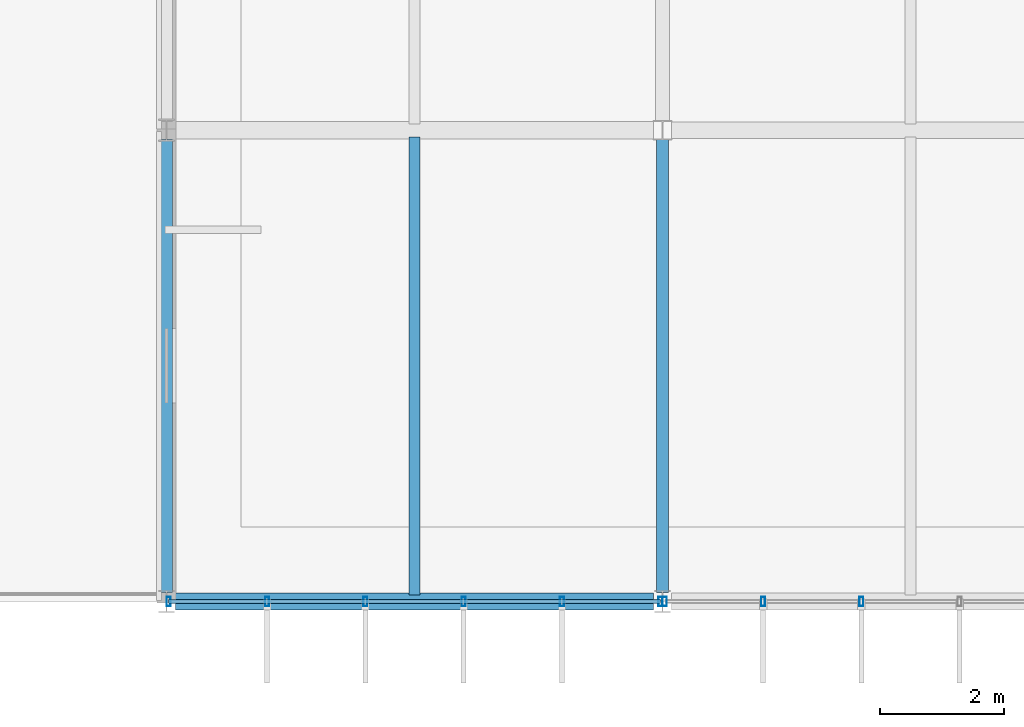
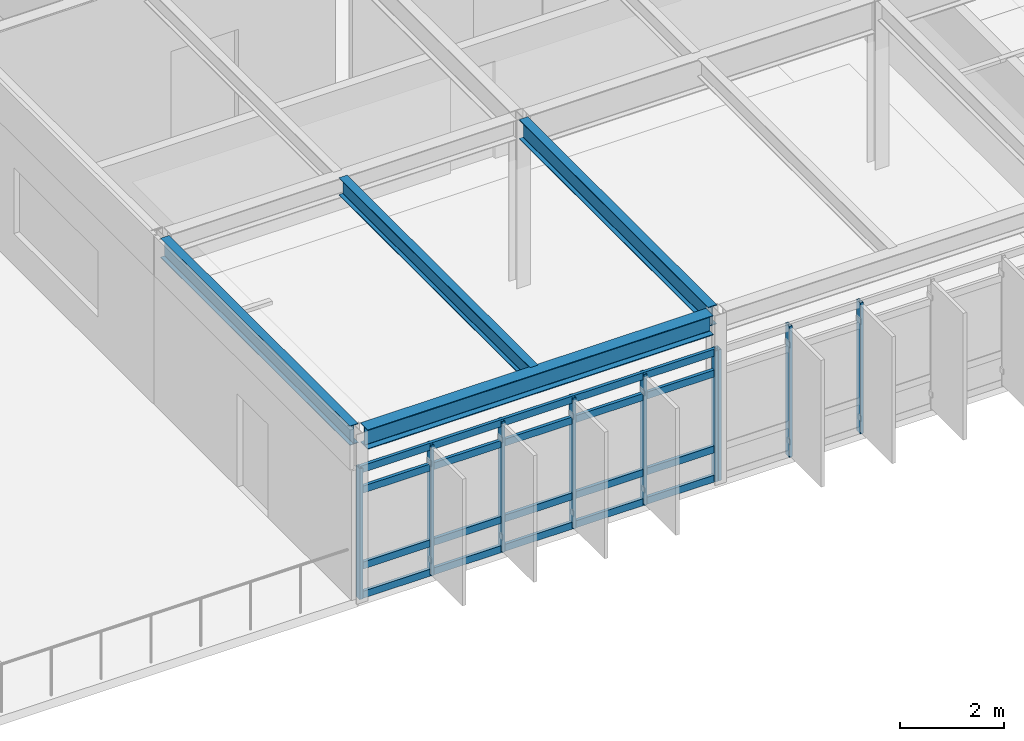
# One storey, part 4 of 21: 13 members, 4 beams, 2 elements without a shape of their own.
"""IFC4 building model written with IfcOpenShell, lengths in metres."""

from ifc_helpers import new_model, si_unit, direction, frame, origin, origin_2d, place, context, subcontext, project, spatial, hollow_rectangle, i_section, extrude, material, material_profile, profile_set, type_object, element, aggregate, save


model = new_model("IFC4")

# Units and contexts
model_context = context("Model", 3, precision=1e-05, world=origin(), true_north=direction((0.0, 1.0)))
body_context = subcontext(model_context, "Body", "Model", "MODEL_VIEW")
ifc_project = project(units=[si_unit("LENGTHUNIT", "METRE"), si_unit("AREAUNIT", "SQUARE_METRE"), si_unit("VOLUMEUNIT", "CUBIC_METRE"), si_unit("PLANEANGLEUNIT", "RADIAN"), si_unit("MASSUNIT", "GRAM", prefix="KILO")], contexts=[model_context])

# Site, building, storey
site_placement = place(None, origin())
site = spatial("IfcSite", under=ifc_project, at=site_placement, CompositionType="ELEMENT")
building_placement = place(site_placement, origin())
building = spatial("IfcBuilding", under=site, at=building_placement, Name="Zulena Civic Courthouse", CompositionType="ELEMENT")
storey_placement = place(building_placement, frame((0.0, 0.0, 37.800048828125)))
storey = spatial("IfcBuildingStorey", under=building, at=storey_placement, Name="L08", CompositionType="ELEMENT", Elevation=37.800048828125)

# Curtain wall, members
ifc_material_1 = material(Name="Double-silver low-E laminated solar-control glass", Category="glass")
curtain_wall_type = type_object("IfcCurtainWallType", Name="CW_7928x3090", PredefinedType="USERDEFINED", material=ifc_material_1)
curtain_wall_1_placement = place(storey_placement, origin())
curtain_wall_1 = element("IfcCurtainWall", 1, at=curtain_wall_1_placement, inside=storey, type_object=curtain_wall_type, Name="cw:V2:L08:3:4", ObjectType="UNITISED CURTAIN WALL", PredefinedType="USERDEFINED")
ifc_material_2 = material(Name="Bronze anodised thermally broken aluminium AA6063-T6", Category="aluminium")
ifc_material_profile_1 = material_profile(ifc_material_2, hollow_rectangle(XDim=0.06494140625, YDim=0.14990234375, WallThickness=0.00390625, at=origin_2d()), Name="CWM150X65X4")
ifc_profile_set_1 = profile_set([ifc_material_profile_1], Name="Bronze anodised thermally broken aluminium AA6063-T6")
member_type_1 = type_object("IfcMemberType", Name="CWMullion_150x65", PredefinedType="MULLION", material=ifc_profile_set_1)
member_1_placement = place(storey_placement, frame((31.207275390625, 0.0, 0.0), z_axis=(0.0, 0.0, 1.0), x_axis=(1.0, 0.0, 0.0)))
member_1 = element("IfcMember", 2, at=member_1_placement, type_object=member_type_1, Name="cw:V2:L08:3:4:mull:3", PredefinedType="MULLION", context=body_context, shape_type="SweptSolid", body=[
    extrude(hollow_rectangle(XDim=0.06494140625, YDim=0.14990234375, WallThickness=0.00390625, at=origin_2d()), origin(), (0.0, 0.0, 1.0), 3.08984375),
])
member_2_placement = place(storey_placement, frame((29.62158203125, 0.0, 0.0), z_axis=(0.0, 0.0, 1.0), x_axis=(1.0, 0.0, 0.0)))
member_2 = element("IfcMember", 3, at=member_2_placement, type_object=member_type_1, Name="cw:V2:L08:3:4:mull:4", PredefinedType="MULLION", context=body_context, shape_type="SweptSolid", body=[
    extrude(hollow_rectangle(XDim=0.06494140625, YDim=0.14990234375, WallThickness=0.00390625, at=origin_2d()), origin(), (0.0, 0.0, 1.0), 3.08984375),
])
member_3_placement = place(storey_placement, frame((28.035888671875, 0.0, 0.0), z_axis=(0.0, 0.0, 1.0), x_axis=(1.0, 0.0, 0.0)))
member_3 = element("IfcMember", 4, at=member_3_placement, type_object=member_type_1, Name="cw:V2:L08:3:4:mull:5", PredefinedType="MULLION", context=body_context, shape_type="SweptSolid", body=[
    extrude(hollow_rectangle(XDim=0.06494140625, YDim=0.14990234375, WallThickness=0.00390625, at=origin_2d()), origin(), (0.0, 0.0, 1.0), 3.08984375),
])
aggregate(curtain_wall_1, [member_1, member_2, member_3])

curtain_wall_2_placement = place(storey_placement, origin())
curtain_wall_2 = element("IfcCurtainWall", 5, at=curtain_wall_2_placement, inside=storey, type_object=curtain_wall_type, Name="cw:V2:L08:3:5", ObjectType="UNITISED CURTAIN WALL", PredefinedType="USERDEFINED")
member_4_placement = place(storey_placement, frame((27.964111328125, 0.0, 0.0), z_axis=(0.0, 0.0, 1.0), x_axis=(1.0, 0.0, 0.0)))
member_4 = element("IfcMember", 6, at=member_4_placement, type_object=member_type_1, Name="cw:V2:L08:3:5:mull:0", PredefinedType="MULLION", context=body_context, shape_type="SweptSolid", body=[
    extrude(hollow_rectangle(XDim=0.06494140625, YDim=0.14990234375, WallThickness=0.00390625, at=origin_2d()), origin(), (0.0, 0.0, 1.0), 3.08984375),
])
member_5_placement = place(storey_placement, frame((26.37841796875, 0.0, 0.0), z_axis=(0.0, 0.0, 1.0), x_axis=(1.0, 0.0, 0.0)))
member_5 = element("IfcMember", 7, at=member_5_placement, type_object=member_type_1, Name="cw:V2:L08:3:5:mull:1", PredefinedType="MULLION", context=body_context, shape_type="SweptSolid", body=[
    extrude(hollow_rectangle(XDim=0.06494140625, YDim=0.14990234375, WallThickness=0.00390625, at=origin_2d()), origin(), (0.0, 0.0, 1.0), 3.08984375),
])
member_6_placement = place(storey_placement, frame((24.792724609375, 0.0, 0.0), z_axis=(0.0, 0.0, 1.0), x_axis=(1.0, 0.0, 0.0)))
member_6 = element("IfcMember", 8, at=member_6_placement, type_object=member_type_1, Name="cw:V2:L08:3:5:mull:2", PredefinedType="MULLION", context=body_context, shape_type="SweptSolid", body=[
    extrude(hollow_rectangle(XDim=0.06494140625, YDim=0.14990234375, WallThickness=0.00390625, at=origin_2d()), origin(), (0.0, 0.0, 1.0), 3.08984375),
])
member_7_placement = place(storey_placement, frame((23.207275390625, 0.0, 0.0), z_axis=(0.0, 0.0, 1.0), x_axis=(1.0, 0.0, 0.0)))
member_7 = element("IfcMember", 9, at=member_7_placement, type_object=member_type_1, Name="cw:V2:L08:3:5:mull:3", PredefinedType="MULLION", context=body_context, shape_type="SweptSolid", body=[
    extrude(hollow_rectangle(XDim=0.06494140625, YDim=0.14990234375, WallThickness=0.00390625, at=origin_2d()), origin(), (0.0, 0.0, 1.0), 3.08984375),
])
member_8_placement = place(storey_placement, frame((21.62158203125, 0.0, 0.0), z_axis=(0.0, 0.0, 1.0), x_axis=(1.0, 0.0, 0.0)))
member_8 = element("IfcMember", 10, at=member_8_placement, type_object=member_type_1, Name="cw:V2:L08:3:5:mull:4", PredefinedType="MULLION", context=body_context, shape_type="SweptSolid", body=[
    extrude(hollow_rectangle(XDim=0.06494140625, YDim=0.14990234375, WallThickness=0.00390625, at=origin_2d()), origin(), (0.0, 0.0, 1.0), 3.08984375),
])
member_9_placement = place(storey_placement, frame((20.035888671875, 0.0, 0.0), z_axis=(0.0, 0.0, 1.0), x_axis=(1.0, 0.0, 0.0)))
member_9 = element("IfcMember", 11, at=member_9_placement, type_object=member_type_1, Name="cw:V2:L08:3:5:mull:5", PredefinedType="MULLION", context=body_context, shape_type="SweptSolid", body=[
    extrude(hollow_rectangle(XDim=0.06494140625, YDim=0.14990234375, WallThickness=0.00390625, at=origin_2d()), origin(), (0.0, 0.0, 1.0), 3.08984375),
])
ifc_material_profile_2 = material_profile(ifc_material_2, hollow_rectangle(XDim=0.070068359375, YDim=0.1650390625, WallThickness=0.00390625, at=origin_2d()), Name="CWT165X70X4")
ifc_profile_set_2 = profile_set([ifc_material_profile_2], Name="Bronze anodised thermally broken aluminium AA6063-T6")
member_type_2 = type_object("IfcMemberType", Name="CWTransom_165x70", PredefinedType="USERDEFINED", material=ifc_profile_set_2)
member_10_placement = place(storey_placement, frame((27.964111328125, 0.0, 0.06005859375), z_axis=(-1.0, 0.0, 0.0), x_axis=(0.0, -1.0, 0.0)))
member_10 = element("IfcMember", 12, at=member_10_placement, type_object=member_type_2, Name="cw:V2:L08:3:5:tran:0", ObjectType="TRANSOM", PredefinedType="USERDEFINED", context=body_context, shape_type="SweptSolid", body=[
    extrude(hollow_rectangle(XDim=0.070068359375, YDim=0.1650390625, WallThickness=0.00390625, at=origin_2d()), origin(), (0.0, 0.0, 1.0), 7.92822265625),
])
member_11_placement = place(storey_placement, frame((27.964111328125, 0.0, 0.75), z_axis=(-1.0, 0.0, 0.0), x_axis=(0.0, -1.0, 0.0)))
member_11 = element("IfcMember", 13, at=member_11_placement, type_object=member_type_2, Name="cw:V2:L08:3:5:tran:1", ObjectType="TRANSOM", PredefinedType="USERDEFINED", context=body_context, shape_type="SweptSolid", body=[
    extrude(hollow_rectangle(XDim=0.070068359375, YDim=0.1650390625, WallThickness=0.00390625, at=origin_2d()), origin(), (0.0, 0.0, 1.0), 7.92822265625),
])
member_12_placement = place(storey_placement, frame((27.964111328125, 0.0, 2.5400390625), z_axis=(-1.0, 0.0, 0.0), x_axis=(0.0, -1.0, 0.0)))
member_12 = element("IfcMember", 14, at=member_12_placement, type_object=member_type_2, Name="cw:V2:L08:3:5:tran:2", ObjectType="TRANSOM", PredefinedType="USERDEFINED", context=body_context, shape_type="SweptSolid", body=[
    extrude(hollow_rectangle(XDim=0.070068359375, YDim=0.1650390625, WallThickness=0.00390625, at=origin_2d()), origin(), (0.0, 0.0, 1.0), 7.92822265625),
])
member_13_placement = place(storey_placement, frame((27.964111328125, 0.0, 3.030029296875), z_axis=(-1.0, 0.0, 0.0), x_axis=(0.0, -1.0, 0.0)))
member_13 = element("IfcMember", 15, at=member_13_placement, type_object=member_type_2, Name="cw:V2:L08:3:5:tran:3", ObjectType="TRANSOM", PredefinedType="USERDEFINED", context=body_context, shape_type="SweptSolid", body=[
    extrude(hollow_rectangle(XDim=0.070068359375, YDim=0.1650390625, WallThickness=0.00390625, at=origin_2d()), origin(), (0.0, 0.0, 1.0), 7.92822265625),
])
aggregate(curtain_wall_2, [member_4, member_5, member_6, member_7, member_8, member_9, member_10, member_11, member_12, member_13])

# Beams
ifc_material_3 = material(Name="Steel ASTM A992 Grade 50", Category="steel")
ifc_material_profile_3 = material_profile(ifc_material_3, i_section(OverallWidth=0.180908203125, OverallDepth=0.4169921875, WebThickness=0.010986328125, FlangeThickness=0.018310546875, FilletRadius=0.01025390625, at=origin_2d()), Name="W16X57")
ifc_profile_set_3 = profile_set([ifc_material_profile_3], Name="Steel ASTM A992 Grade 50")
beam_type_1 = type_object("IfcBeamType", Name="Joist_W16X57", PredefinedType="JOIST", material=ifc_profile_set_3)
beam_1_placement = place(storey_placement, frame((24.0, 0.10498046875, 3.79150390625), z_axis=(0.0, 1.0, 0.0), x_axis=(-1.0, 0.0, 0.0)))
element("IfcBeam", 16, at=beam_1_placement, inside=storey, type_object=beam_type_1, Name="joist:V2:L08:24.00:0.0_7.6", PredefinedType="JOIST", context=body_context, shape_type="SweptSolid", body=[
    extrude(i_section(OverallWidth=0.180908203125, OverallDepth=0.4169921875, WebThickness=0.010986328125, FlangeThickness=0.018310546875, FilletRadius=0.01025390625, at=origin_2d()), origin(), (0.0, 0.0, 1.0), 7.39013671875),
])
ifc_material_profile_4 = material_profile(ifc_material_3, i_section(OverallWidth=0.19091796875, OverallDepth=0.4599609375, WebThickness=0.010009765625, FlangeThickness=0.01611328125, FilletRadius=0.01025390625, at=origin_2d()), Name="W18X55")
ifc_profile_set_4 = profile_set([ifc_material_profile_4], Name="Steel ASTM A992 Grade 50")
beam_type_2 = type_object("IfcBeamType", Name="Spandrel_W18X55", PredefinedType="SPANDREL", material=ifc_profile_set_4)
for number, where, z_axis, x_axis, name in (
    (17, (20.0, 0.14501953125, 3.77001953125), (0.0, 1.0, 0.0), (-1.0, 0.0, 0.0), "beam:Y:V2:L08:20.0:0.0_7.6"),
    (18, (28.0, 0.14501953125, 3.77001953125), (0.0, 1.0, 0.0), (-1.0, 0.0, 0.0), "beam:Y:V2:L08:28.0:0.0_7.6"),
):
    element("IfcBeam", number, at=place(storey_placement, frame(where, z_axis=z_axis, x_axis=x_axis)), inside=storey, type_object=beam_type_2, Name=name, PredefinedType="SPANDREL", context=body_context, shape_type="SweptSolid", body=[
        extrude(i_section(OverallWidth=0.19091796875, OverallDepth=0.4599609375, WebThickness=0.010009765625, FlangeThickness=0.01611328125, FilletRadius=0.01025390625, at=origin_2d()), origin(), (0.0, 0.0, 1.0), 7.31005859375),
    ])
ifc_material_profile_5 = material_profile(ifc_material_3, i_section(OverallWidth=0.280029296875, OverallDepth=0.462890625, WebThickness=0.0107421875, FlangeThickness=0.017333984375, FilletRadius=0.01025390625, at=origin_2d()), Name="W18X76")
ifc_profile_set_5 = profile_set([ifc_material_profile_5], Name="Steel ASTM A992 Grade 50")
beam_type_3 = type_object("IfcBeamType", Name="Spandrel_W18X76", PredefinedType="SPANDREL", material=ifc_profile_set_5)
beam_2_placement = place(storey_placement, frame((20.14501953125, 0.0, 3.7685546875), z_axis=(1.0, 0.0, 0.0), x_axis=(0.0, 1.0, 0.0)))
element("IfcBeam", 19, at=beam_2_placement, inside=storey, type_object=beam_type_3, Name="beam:X:V2:L08:0.0:20.0_28.0", PredefinedType="SPANDREL", context=body_context, shape_type="SweptSolid", body=[
    extrude(i_section(OverallWidth=0.280029296875, OverallDepth=0.462890625, WebThickness=0.0107421875, FlangeThickness=0.017333984375, FilletRadius=0.01025390625, at=origin_2d()), origin(), (0.0, 0.0, 1.0), 7.7099609375),
])

save(model, "model.ifc")
